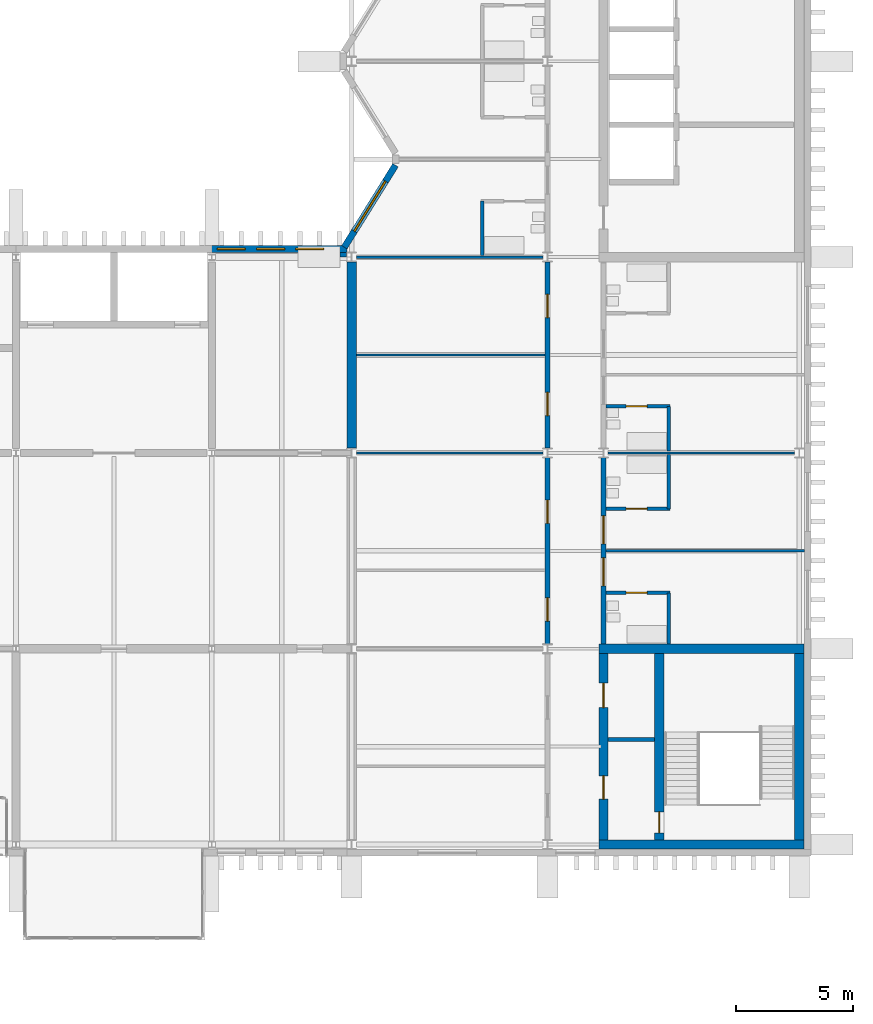
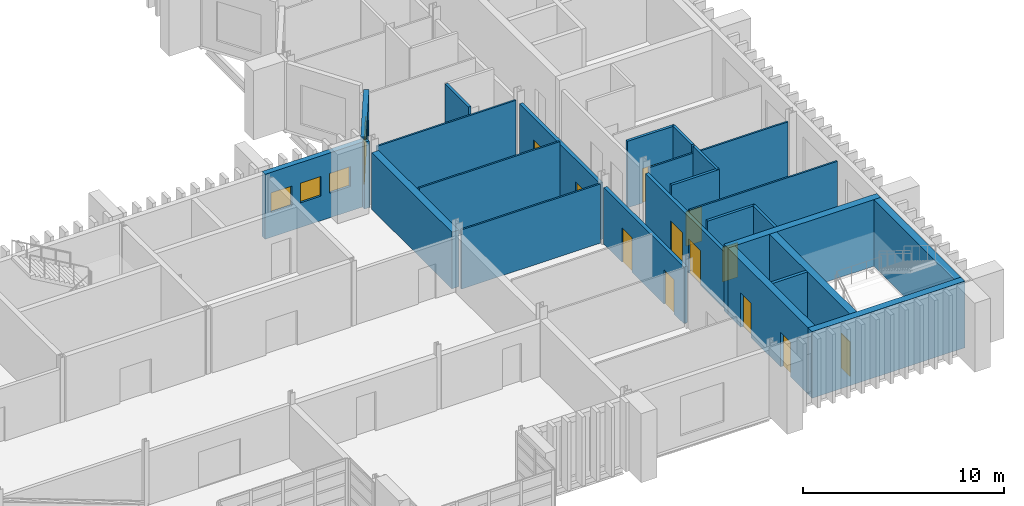
# One storey, part 66 of 88: 25 walls, 12 doors, 4 windows, 16 openings.
"""IFC4 building model written with IfcOpenShell, lengths in metres."""

from ifc_helpers import new_model, si_unit, direction, frame, frame_2d, origin, place, context, subcontext, project, spatial, rectangle, extrude, material, layer, layer_set, type_object, element, fill, save


model = new_model("IFC4")

# Units and contexts
model_context = context("Model", 3, precision=1e-05, world=origin(), true_north=direction((0.0, 1.0)))
body_context = subcontext(model_context, "Body", "Model", "MODEL_VIEW")
ifc_project = project(units=[si_unit("LENGTHUNIT", "METRE"), si_unit("AREAUNIT", "SQUARE_METRE"), si_unit("VOLUMEUNIT", "CUBIC_METRE"), si_unit("PLANEANGLEUNIT", "RADIAN"), si_unit("MASSUNIT", "GRAM", prefix="KILO")], contexts=[model_context])

# Site, building, storey
site_placement = place(None, origin())
site = spatial("IfcSite", under=ifc_project, at=site_placement, CompositionType="ELEMENT")
building_placement = place(site_placement, origin())
building = spatial("IfcBuilding", under=site, at=building_placement, Name="Cresset Court Congress Hotel", CompositionType="ELEMENT")
storey_placement = place(building_placement, frame((0.0, 0.0, 14.39990234375)))
storey = spatial("IfcBuildingStorey", under=building, at=storey_placement, Name="L03", CompositionType="ELEMENT", Elevation=14.39990234375)

# Wall, openings, doors
ifc_material_1 = material(Name="Gypsum board partition")
ifc_layer_1 = layer(ifc_material_1, 0.199951171875)
ifc_layer_set_1 = layer_set([ifc_layer_1], Name="Corridor wall 200")
wall_type_1 = type_object("IfcWallType", Name="Corridor wall 200", PredefinedType="PARTITIONING", material=ifc_layer_set_1)
wall_1_placement = place(storey_placement, frame((165.60009765625, 8.60693359375, 0.0), z_axis=(0.0, 0.0, 1.0), x_axis=(0.0, 1.0, 0.0)))
wall_1 = element("IfcWall", 1, at=wall_1_placement, inside=storey, type_object=wall_type_1, Name="A.wl.L03.062", PredefinedType="PARTITIONING", context=body_context, shape_type="SweptSolid", body=[
    extrude(rectangle(XDim=7.986083984375, YDim=0.199951171875, at=frame_2d((3.9931640625, 0.0))), origin(), (0.0, 0.0, 1.0), 3.4501953125),
])
opening_1_placement = place(wall_1_placement, frame((0.972900390625, 0.0, 0.0)))
opening_1 = element("IfcOpeningElement", 2, at=opening_1_placement, cuts=wall_1, Name="Opening DA-03-03", PredefinedType="OPENING", context=body_context, shape_type="SweptSolid", body=[
    extrude(rectangle(XDim=1.0, YDim=2.10009765625, at=frame_2d((0.5, 1.050048828125))), frame((0.0, 0.10986328125, 0.0), z_axis=(0.0, -1.0, 0.0), x_axis=(1.0, 0.0, 0.0)), (0.0, 0.0, 1.0), 0.219970703125),
])
opening_2_placement = place(wall_1_placement, frame((5.173095703125, 0.0, 0.0)))
opening_2 = element("IfcOpeningElement", 3, at=opening_2_placement, cuts=wall_1, Name="Opening DA-03-04", PredefinedType="OPENING", context=body_context, shape_type="SweptSolid", body=[
    extrude(rectangle(XDim=1.0, YDim=2.10009765625, at=frame_2d((0.5, 1.050048828125))), frame((0.0, 0.10986328125, 0.0), z_axis=(0.0, -1.0, 0.0), x_axis=(1.0, 0.0, 0.0)), (0.0, 0.0, 1.0), 0.219970703125),
])
ifc_material_2 = material(Name="timber", Category="wood")
door_type_1 = type_object("IfcDoorType", Name="Meeting-room door 1000x2100 FD90", OperationType="SINGLE_SWING_LEFT", PredefinedType="DOOR", material=ifc_material_2)
door_1_placement = place(opening_1_placement, origin())
door_1 = element("IfcDoor", 4, at=door_1_placement, inside=storey, type_object=door_type_1, Name="Door DA-03-03", OperationType="SINGLE_SWING_LEFT", OverallHeight=2.10009765625, OverallWidth=1.0, PredefinedType="DOOR", context=body_context, shape_type="SweptSolid", body=[
    extrude(rectangle(XDim=1.0, YDim=2.10009765625, at=frame_2d((0.5, 1.050048828125))), frame((0.0, 0.02490234375, 0.0), z_axis=(0.0, -1.0, 0.0), x_axis=(1.0, 0.0, 0.0)), (0.0, 0.0, 1.0), 0.050048828125),
])
fill(opening_1, door_1)
door_2_placement = place(opening_2_placement, origin())
door_2 = element("IfcDoor", 5, at=door_2_placement, inside=storey, type_object=door_type_1, Name="Door DA-03-04", OperationType="SINGLE_SWING_RIGHT", OverallHeight=2.10009765625, OverallWidth=1.0, PredefinedType="DOOR", context=body_context, shape_type="SweptSolid", body=[
    extrude(rectangle(XDim=1.0, YDim=2.10009765625, at=frame_2d((0.5, 1.050048828125))), frame((0.0, 0.02490234375, 0.0), z_axis=(0.0, -1.0, 0.0), x_axis=(1.0, 0.0, 0.0)), (0.0, 0.0, 1.0), 0.050048828125),
])
fill(opening_2, door_2)

wall_2_placement = place(storey_placement, frame((165.60009765625, 17.007080078125, 0.0), z_axis=(0.0, 0.0, 1.0), x_axis=(0.0, 1.0, 0.0)))
wall_2 = element("IfcWall", 6, at=wall_2_placement, inside=storey, type_object=wall_type_1, Name="A.wl.L03.063", PredefinedType="PARTITIONING", context=body_context, shape_type="SweptSolid", body=[
    extrude(rectangle(XDim=7.98583984375, YDim=0.199951171875, at=frame_2d((3.992919921875, 0.0))), origin(), (0.0, 0.0, 1.0), 3.4501953125),
])
opening_3_placement = place(wall_2_placement, frame((1.39306640625, 0.0, 0.0)))
opening_3 = element("IfcOpeningElement", 7, at=opening_3_placement, cuts=wall_2, Name="Opening DA-03-05", PredefinedType="OPENING", context=body_context, shape_type="SweptSolid", body=[
    extrude(rectangle(XDim=1.0, YDim=2.10009765625, at=frame_2d((0.5, 1.050048828125))), frame((0.0, 0.10986328125, 0.0), z_axis=(0.0, -1.0, 0.0), x_axis=(1.0, 0.0, 0.0)), (0.0, 0.0, 1.0), 0.219970703125),
])
opening_4_placement = place(wall_2_placement, frame((5.593017578125, 0.0, 0.0)))
opening_4 = element("IfcOpeningElement", 8, at=opening_4_placement, cuts=wall_2, Name="Opening DA-03-06", PredefinedType="OPENING", context=body_context, shape_type="SweptSolid", body=[
    extrude(rectangle(XDim=1.0, YDim=2.10009765625, at=frame_2d((0.5, 1.050048828125))), frame((0.0, 0.10986328125, 0.0), z_axis=(0.0, -1.0, 0.0), x_axis=(1.0, 0.0, 0.0)), (0.0, 0.0, 1.0), 0.219970703125),
])
door_3_placement = place(opening_3_placement, origin())
door_3 = element("IfcDoor", 9, at=door_3_placement, inside=storey, type_object=door_type_1, Name="Door DA-03-05", OperationType="SINGLE_SWING_LEFT", OverallHeight=2.10009765625, OverallWidth=1.0, PredefinedType="DOOR", context=body_context, shape_type="SweptSolid", body=[
    extrude(rectangle(XDim=1.0, YDim=2.10009765625, at=frame_2d((0.5, 1.050048828125))), frame((0.0, 0.02490234375, 0.0), z_axis=(0.0, -1.0, 0.0), x_axis=(1.0, 0.0, 0.0)), (0.0, 0.0, 1.0), 0.050048828125),
])
fill(opening_3, door_3)
door_4_placement = place(opening_4_placement, origin())
door_4 = element("IfcDoor", 10, at=door_4_placement, inside=storey, type_object=door_type_1, Name="Door DA-03-06", OperationType="SINGLE_SWING_RIGHT", OverallHeight=2.10009765625, OverallWidth=1.0, PredefinedType="DOOR", context=body_context, shape_type="SweptSolid", body=[
    extrude(rectangle(XDim=1.0, YDim=2.10009765625, at=frame_2d((0.5, 1.050048828125))), frame((0.0, 0.02490234375, 0.0), z_axis=(0.0, -1.0, 0.0), x_axis=(1.0, 0.0, 0.0)), (0.0, 0.0, 1.0), 0.050048828125),
])
fill(opening_4, door_4)

wall_3_placement = place(storey_placement, frame((168.0, 8.60009765625, 0.0), z_axis=(0.0, 0.0, 1.0), x_axis=(0.0, 1.0, 0.0)))
wall_3 = element("IfcWall", 11, at=wall_3_placement, inside=storey, type_object=wall_type_1, Name="A.wl.L03.069", PredefinedType="PARTITIONING", context=body_context, shape_type="SweptSolid", body=[
    extrude(rectangle(XDim=7.992919921875, YDim=0.199951171875, at=frame_2d((3.99658203125, 0.0))), origin(), (0.0, 0.0, 1.0), 3.4501953125),
])
opening_5_placement = place(wall_3_placement, frame((2.5, 0.0, 0.0)))
opening_5 = element("IfcOpeningElement", 12, at=opening_5_placement, cuts=wall_3, Name="Opening DA-03-28", PredefinedType="OPENING", context=body_context, shape_type="SweptSolid", body=[
    extrude(rectangle(XDim=1.199951171875, YDim=2.10009765625, at=frame_2d((0.60009765625, 1.050048828125))), frame((0.0, 0.10986328125, 0.0), z_axis=(0.0, -1.0, 0.0), x_axis=(1.0, 0.0, 0.0)), (0.0, 0.0, 1.0), 0.219970703125),
])
opening_6_placement = place(wall_3_placement, frame((4.300048828125, 0.0, 0.0)))
opening_6 = element("IfcOpeningElement", 13, at=opening_6_placement, cuts=wall_3, Name="Opening DA-03-30", PredefinedType="OPENING", context=body_context, shape_type="SweptSolid", body=[
    extrude(rectangle(XDim=1.199951171875, YDim=2.10009765625, at=frame_2d((0.60009765625, 1.050048828125))), frame((0.0, 0.10986328125, 0.0), z_axis=(0.0, -1.0, 0.0), x_axis=(1.0, 0.0, 0.0)), (0.0, 0.0, 1.0), 0.219970703125),
])
ifc_material_3 = material(Name="timber", Category="wood")
door_type_2 = type_object("IfcDoorType", Name="Guest-room entry door 1200x2100 FD30S", OperationType="SINGLE_SWING_LEFT", PredefinedType="DOOR", material=ifc_material_3)
door_5_placement = place(opening_5_placement, origin())
door_5 = element("IfcDoor", 14, at=door_5_placement, inside=storey, type_object=door_type_2, Name="Door DA-03-28", OperationType="SINGLE_SWING_RIGHT", OverallHeight=2.10009765625, OverallWidth=1.199951171875, PredefinedType="DOOR", context=body_context, shape_type="SweptSolid", body=[
    extrude(rectangle(XDim=1.199951171875, YDim=2.10009765625, at=frame_2d((0.60009765625, 1.050048828125))), frame((0.0, 0.02490234375, 0.0), z_axis=(0.0, -1.0, 0.0), x_axis=(1.0, 0.0, 0.0)), (0.0, 0.0, 1.0), 0.050048828125),
])
fill(opening_5, door_5)
door_6_placement = place(opening_6_placement, origin())
door_6 = element("IfcDoor", 15, at=door_6_placement, inside=storey, type_object=door_type_2, Name="Door DA-03-30", OperationType="SINGLE_SWING_LEFT", OverallHeight=2.10009765625, OverallWidth=1.199951171875, PredefinedType="DOOR", context=body_context, shape_type="SweptSolid", body=[
    extrude(rectangle(XDim=1.199951171875, YDim=2.10009765625, at=frame_2d((0.60009765625, 1.050048828125))), frame((0.0, 0.02490234375, 0.0), z_axis=(0.0, -1.0, 0.0), x_axis=(1.0, 0.0, 0.0)), (0.0, 0.0, 1.0), 0.050048828125),
])
fill(opening_6, door_6)

# Walls
ifc_material_4 = material(Name="Gypsum board partition")
ifc_layer_2 = layer(ifc_material_4, 0.14990234375)
ifc_layer_set_2 = layer_set([ifc_layer_2], Name="En-suite wall 150")
wall_type_2 = type_object("IfcWallType", Name="En-suite wall 150", PredefinedType="PARTITIONING", material=ifc_layer_set_2)
wall_4_placement = place(storey_placement, frame((162.800048828125, 25.27490234375, 0.0), z_axis=(0.0, 0.0, 1.0), x_axis=(0.0, 1.0, 0.0)))
element("IfcWall", 16, at=wall_4_placement, inside=storey, type_object=wall_type_2, Name="A.wl.L03.001", PredefinedType="PARTITIONING", context=body_context, shape_type="SweptSolid", body=[
    extrude(rectangle(XDim=2.3251953125, YDim=0.14990234375, at=frame_2d((1.16259765625, 0.0))), origin(), (0.0, 0.0, 1.0), 4.050048828125),
])
wall_5_placement = place(storey_placement, frame((170.800048828125, 8.60009765625, 0.0), z_axis=(0.0, 0.0, 1.0), x_axis=(0.0, 1.0, 0.0)))
element("IfcWall", 17, at=wall_5_placement, inside=storey, type_object=wall_type_2, Name="A.wl.L03.021", PredefinedType="PARTITIONING", context=body_context, shape_type="SweptSolid", body=[
    extrude(rectangle(XDim=2.199951171875, YDim=0.14990234375, at=frame_2d((1.10009765625, 0.0))), origin(), (0.0, 0.0, 1.0), 4.050048828125),
])

# Wall, opening, door
wall_6_placement = place(storey_placement, frame((170.85009765625, 10.800048828125, 0.0), z_axis=(0.0, 0.0, 1.0), x_axis=(-1.0, 0.0, 0.0)))
wall_6 = element("IfcWall", 18, at=wall_6_placement, inside=storey, type_object=wall_type_2, Name="A.wl.L03.022", PredefinedType="PARTITIONING", context=body_context, shape_type="SweptSolid", body=[
    extrude(rectangle(XDim=2.75, YDim=0.14990234375, at=frame_2d((1.375, 0.0))), origin(), (0.0, 0.0, 1.0), 4.050048828125),
])
opening_7_placement = place(wall_6_placement, frame((0.97998046875, 0.0, 0.0)))
opening_7 = element("IfcOpeningElement", 19, at=opening_7_placement, cuts=wall_6, Name="Opening DA-03-27", PredefinedType="OPENING", context=body_context, shape_type="SweptSolid", body=[
    extrude(rectangle(XDim=0.89990234375, YDim=2.10009765625, at=frame_2d((0.449951171875, 1.050048828125))), frame((0.0, 0.0849609375, 0.0), z_axis=(0.0, -1.0, 0.0), x_axis=(1.0, 0.0, 0.0)), (0.0, 0.0, 1.0), 0.169921875),
])
ifc_material_5 = material(Name="timber", Category="wood")
door_type_3 = type_object("IfcDoorType", Name="En-suite door 900x2100", OperationType="SINGLE_SWING_LEFT", PredefinedType="DOOR", material=ifc_material_5)
door_7_placement = place(opening_7_placement, origin())
door_7 = element("IfcDoor", 20, at=door_7_placement, inside=storey, type_object=door_type_3, Name="Door DA-03-27", OperationType="SINGLE_SWING_RIGHT", OverallHeight=2.10009765625, OverallWidth=0.89990234375, PredefinedType="DOOR", context=body_context, shape_type="SweptSolid", body=[
    extrude(rectangle(XDim=0.89990234375, YDim=2.10009765625, at=frame_2d((0.449951171875, 1.050048828125))), frame((0.0, 0.02490234375, 0.0), z_axis=(0.0, -1.0, 0.0), x_axis=(1.0, 0.0, 0.0)), (0.0, 0.0, 1.0), 0.050048828125),
])
fill(opening_7, door_7)

# Wall
wall_7_placement = place(storey_placement, frame((170.800048828125, 14.39990234375, 0.0), z_axis=(0.0, 0.0, 1.0), x_axis=(0.0, 1.0, 0.0)))
element("IfcWall", 21, at=wall_7_placement, inside=storey, type_object=wall_type_2, Name="A.wl.L03.023", PredefinedType="PARTITIONING", context=body_context, shape_type="SweptSolid", body=[
    extrude(rectangle(XDim=2.3251953125, YDim=0.14990234375, at=frame_2d((1.16259765625, 0.0))), origin(), (0.0, 0.0, 1.0), 4.050048828125),
])

# Wall, opening, door
wall_8_placement = place(storey_placement, frame((170.85009765625, 14.39990234375, 0.0), z_axis=(0.0, 0.0, 1.0), x_axis=(-1.0, 0.0, 0.0)))
wall_8 = element("IfcWall", 22, at=wall_8_placement, inside=storey, type_object=wall_type_2, Name="A.wl.L03.024", PredefinedType="PARTITIONING", context=body_context, shape_type="SweptSolid", body=[
    extrude(rectangle(XDim=2.75, YDim=0.14990234375, at=frame_2d((1.375, 0.0))), origin(), (0.0, 0.0, 1.0), 4.050048828125),
])
opening_8_placement = place(wall_8_placement, frame((0.97998046875, 0.0, 0.0)))
opening_8 = element("IfcOpeningElement", 23, at=opening_8_placement, cuts=wall_8, Name="Opening DA-03-29", PredefinedType="OPENING", context=body_context, shape_type="SweptSolid", body=[
    extrude(rectangle(XDim=0.89990234375, YDim=2.10009765625, at=frame_2d((0.449951171875, 1.050048828125))), frame((0.0, 0.0849609375, 0.0), z_axis=(0.0, -1.0, 0.0), x_axis=(1.0, 0.0, 0.0)), (0.0, 0.0, 1.0), 0.169921875),
])
door_8_placement = place(opening_8_placement, origin())
door_8 = element("IfcDoor", 24, at=door_8_placement, inside=storey, type_object=door_type_3, Name="Door DA-03-29", OperationType="SINGLE_SWING_LEFT", OverallHeight=2.10009765625, OverallWidth=0.89990234375, PredefinedType="DOOR", context=body_context, shape_type="SweptSolid", body=[
    extrude(rectangle(XDim=0.89990234375, YDim=2.10009765625, at=frame_2d((0.449951171875, 1.050048828125))), frame((0.0, 0.02490234375, 0.0), z_axis=(0.0, -1.0, 0.0), x_axis=(1.0, 0.0, 0.0)), (0.0, 0.0, 1.0), 0.050048828125),
])
fill(opening_8, door_8)

# Wall
wall_9_placement = place(storey_placement, frame((170.800048828125, 16.875, 0.0), z_axis=(0.0, 0.0, 1.0), x_axis=(0.0, 1.0, 0.0)))
element("IfcWall", 25, at=wall_9_placement, inside=storey, type_object=wall_type_2, Name="A.wl.L03.025", PredefinedType="PARTITIONING", context=body_context, shape_type="SweptSolid", body=[
    extrude(rectangle(XDim=1.925048828125, YDim=0.14990234375, at=frame_2d((0.96240234375, 0.0))), origin(), (0.0, 0.0, 1.0), 4.050048828125),
])

# Wall, opening, door
wall_10_placement = place(storey_placement, frame((170.85009765625, 18.800048828125, 0.0), z_axis=(0.0, 0.0, 1.0), x_axis=(-1.0, 0.0, 0.0)))
wall_10 = element("IfcWall", 26, at=wall_10_placement, inside=storey, type_object=wall_type_2, Name="A.wl.L03.026", PredefinedType="PARTITIONING", context=body_context, shape_type="SweptSolid", body=[
    extrude(rectangle(XDim=2.75, YDim=0.14990234375, at=frame_2d((1.375, 0.0))), origin(), (0.0, 0.0, 1.0), 4.050048828125),
])
opening_9_placement = place(wall_10_placement, frame((0.97998046875, 0.0, 0.0)))
opening_9 = element("IfcOpeningElement", 27, at=opening_9_placement, cuts=wall_10, Name="Opening DA-03-31", PredefinedType="OPENING", context=body_context, shape_type="SweptSolid", body=[
    extrude(rectangle(XDim=0.89990234375, YDim=2.10009765625, at=frame_2d((0.449951171875, 1.050048828125))), frame((0.0, 0.0849609375, 0.0), z_axis=(0.0, -1.0, 0.0), x_axis=(1.0, 0.0, 0.0)), (0.0, 0.0, 1.0), 0.169921875),
])
door_9_placement = place(opening_9_placement, origin())
door_9 = element("IfcDoor", 28, at=door_9_placement, inside=storey, type_object=door_type_3, Name="Door DA-03-31", OperationType="SINGLE_SWING_RIGHT", OverallHeight=2.10009765625, OverallWidth=0.89990234375, PredefinedType="DOOR", context=body_context, shape_type="SweptSolid", body=[
    extrude(rectangle(XDim=0.89990234375, YDim=2.10009765625, at=frame_2d((0.449951171875, 1.050048828125))), frame((0.0, 0.02490234375, 0.0), z_axis=(0.0, -1.0, 0.0), x_axis=(1.0, 0.0, 0.0)), (0.0, 0.0, 1.0), 0.050048828125),
])
fill(opening_9, door_9)

# Wall
ifc_material_6 = material(Name="Precast concrete C50", Category="concrete")
ifc_layer_3 = layer(ifc_material_6, 0.280029296875)
ifc_layer_set_3 = layer_set([ifc_layer_3], Name="External wall 280")
wall_type_3 = type_object("IfcWallType", Name="External wall 280", PredefinedType="SOLIDWALL", material=ifc_layer_set_3)
wall_11_placement = place(storey_placement, frame((156.840087890625, 25.199951171875, 0.0), z_axis=(0.0, 0.0, 1.0), x_axis=(0.0, 1.0, 0.0)))
element("IfcWall", 29, at=wall_11_placement, inside=storey, type_object=wall_type_3, Name="A.ew.L03.W.1", PredefinedType="SOLIDWALL", context=body_context, shape_type="SweptSolid", body=[
    extrude(rectangle(XDim=0.199951171875, YDim=0.280029296875, at=frame_2d((0.10009765625, 0.0))), origin(), (0.0, 0.0, 1.0), 4.050048828125),
])

# Wall, opening, window
wall_12_placement = place(storey_placement, frame((156.88623046875, 25.6240234375, 0.0), z_axis=(0.0, 0.0, 1.0), x_axis=(0.528992500338, 0.848626498871, 0.0)))
wall_12 = element("IfcWall", 30, at=wall_12_placement, inside=storey, type_object=wall_type_3, Name="A.ew.L03.Wn.3.0", PredefinedType="SOLIDWALL", context=body_context, shape_type="SweptSolid", body=[
    extrude(rectangle(XDim=4.14453125, YDim=0.280029296875, at=frame_2d((2.072265625, 0.0))), origin(), (0.0, 0.0, 1.0), 4.050048828125),
])
opening_10_placement = place(wall_12_placement, frame((0.812255859375, 0.0, 0.60009765625)))
opening_10 = element("IfcOpeningElement", 31, at=opening_10_placement, cuts=wall_12, Name="Opening NA-03-01", PredefinedType="OPENING", context=body_context, shape_type="SweptSolid", body=[
    extrude(rectangle(XDim=2.52001953125, YDim=2.39990234375, at=frame_2d((1.260009765625, 1.199951171875))), frame((0.0, 0.14990234375, 0.0), z_axis=(0.0, -1.0, 0.0), x_axis=(1.0, 0.0, 0.0)), (0.0, 0.0, 1.0), 0.300048828125),
])
ifc_material_7 = material(Name="Aluminium and glass", Category="aluminium")
window_type_1 = type_object("IfcWindowType", Name="Window 2520x2400", PartitioningType="SINGLE_PANEL", PredefinedType="WINDOW", material=ifc_material_7)
window_1_placement = place(opening_10_placement, origin())
window_1 = element("IfcWindow", 32, at=window_1_placement, inside=storey, type_object=window_type_1, Name="Window NA-03-01", OverallHeight=2.39990234375, OverallWidth=2.52001953125, PartitioningType="SINGLE_PANEL", PredefinedType="WINDOW", context=body_context, shape_type="SweptSolid", body=[
    extrude(rectangle(XDim=2.52001953125, YDim=2.39990234375, at=frame_2d((1.260009765625, 1.199951171875))), frame((0.0, 0.030029296875, 0.0), z_axis=(0.0, -1.0, 0.0), x_axis=(1.0, 0.0, 0.0)), (0.0, 0.0, 1.0), 0.06005859375),
])
fill(opening_10, window_1)

# Wall, openings, windows
ifc_material_8 = material(Name="Concrete C40", Category="concrete")
ifc_layer_4 = layer(ifc_material_8, 0.300048828125)
ifc_layer_set_4 = layer_set([ifc_layer_4], Name="External wall 300 Concrete C40")
wall_type_4 = type_object("IfcWallType", Name="External wall 300 Concrete C40", PredefinedType="SOLIDWALL", material=ifc_layer_set_4)
wall_13_placement = place(storey_placement, frame((151.10009765625, 25.550048828125, 0.0), z_axis=(0.0, 0.0, 1.0), x_axis=(1.0, 0.0, 0.0)))
wall_13 = element("IfcWall", 33, at=wall_13_placement, inside=storey, type_object=wall_type_4, Name="External wall", PredefinedType="SOLIDWALL", context=body_context, shape_type="SweptSolid", body=[
    extrude(rectangle(XDim=5.89990234375, YDim=0.300048828125, at=frame_2d((2.949951171875, 0.0))), origin(), (0.0, 0.0, 1.0), 3.9501953125),
])
opening_11_placement = place(wall_13_placement, frame((0.340087890625, 0.0, 1.5)))
opening_11 = element("IfcOpeningElement", 34, at=opening_11_placement, cuts=wall_13, Name="Opening NB-03-65", PredefinedType="OPENING", context=body_context, shape_type="SweptSolid", body=[
    extrude(rectangle(XDim=1.199951171875, YDim=1.199951171875, at=frame_2d((0.60009765625, 0.60009765625))), frame((0.0, 0.159912109375, 0.0), z_axis=(0.0, -1.0, 0.0), x_axis=(1.0, 0.0, 0.0)), (0.0, 0.0, 1.0), 0.320068359375),
])
opening_12_placement = place(wall_13_placement, frame((2.02001953125, 0.0, 1.5)))
opening_12 = element("IfcOpeningElement", 35, at=opening_12_placement, cuts=wall_13, Name="Opening NB-03-66", PredefinedType="OPENING", context=body_context, shape_type="SweptSolid", body=[
    extrude(rectangle(XDim=1.199951171875, YDim=1.199951171875, at=frame_2d((0.60009765625, 0.60009765625))), frame((0.0, 0.159912109375, 0.0), z_axis=(0.0, -1.0, 0.0), x_axis=(1.0, 0.0, 0.0)), (0.0, 0.0, 1.0), 0.320068359375),
])
opening_13_placement = place(wall_13_placement, frame((3.699951171875, 0.0, 1.5)))
opening_13 = element("IfcOpeningElement", 36, at=opening_13_placement, cuts=wall_13, Name="Opening NB-03-67", PredefinedType="OPENING", context=body_context, shape_type="SweptSolid", body=[
    extrude(rectangle(XDim=1.199951171875, YDim=1.199951171875, at=frame_2d((0.60009765625, 0.60009765625))), frame((0.0, 0.159912109375, 0.0), z_axis=(0.0, -1.0, 0.0), x_axis=(1.0, 0.0, 0.0)), (0.0, 0.0, 1.0), 0.320068359375),
])
ifc_material_9 = material(Name="Aluminium frame with double glazing", Category="aluminium")
window_type_2 = type_object("IfcWindowType", Name="Window 1200x1200", PartitioningType="SINGLE_PANEL", PredefinedType="WINDOW", material=ifc_material_9)
window_2_placement = place(opening_11_placement, origin())
window_2 = element("IfcWindow", 37, at=window_2_placement, inside=storey, type_object=window_type_2, Name="Window NB-03-65", OverallHeight=1.199951171875, OverallWidth=1.199951171875, PartitioningType="SINGLE_PANEL", PredefinedType="WINDOW", context=body_context, shape_type="SweptSolid", body=[
    extrude(rectangle(XDim=1.199951171875, YDim=1.199951171875, at=frame_2d((0.60009765625, 0.60009765625))), frame((0.0, 0.030029296875, 0.0), z_axis=(0.0, -1.0, 0.0), x_axis=(1.0, 0.0, 0.0)), (0.0, 0.0, 1.0), 0.06005859375),
])
fill(opening_11, window_2)
window_3_placement = place(opening_12_placement, origin())
window_3 = element("IfcWindow", 38, at=window_3_placement, inside=storey, type_object=window_type_2, Name="Window NB-03-66", OverallHeight=1.199951171875, OverallWidth=1.199951171875, PartitioningType="SINGLE_PANEL", PredefinedType="WINDOW", context=body_context, shape_type="SweptSolid", body=[
    extrude(rectangle(XDim=1.199951171875, YDim=1.199951171875, at=frame_2d((0.60009765625, 0.60009765625))), frame((0.0, 0.030029296875, 0.0), z_axis=(0.0, -1.0, 0.0), x_axis=(1.0, 0.0, 0.0)), (0.0, 0.0, 1.0), 0.06005859375),
])
fill(opening_12, window_3)
window_4_placement = place(opening_13_placement, origin())
window_4 = element("IfcWindow", 39, at=window_4_placement, inside=storey, type_object=window_type_2, Name="Window NB-03-67", OverallHeight=1.199951171875, OverallWidth=1.199951171875, PartitioningType="SINGLE_PANEL", PredefinedType="WINDOW", context=body_context, shape_type="SweptSolid", body=[
    extrude(rectangle(XDim=1.199951171875, YDim=1.199951171875, at=frame_2d((0.60009765625, 0.60009765625))), frame((0.0, 0.030029296875, 0.0), z_axis=(0.0, -1.0, 0.0), x_axis=(1.0, 0.0, 0.0)), (0.0, 0.0, 1.0), 0.06005859375),
])
fill(opening_13, window_4)

# Walls
ifc_material_10 = material(Name="Gypsum board partition")
ifc_layer_5 = layer(ifc_material_10, 0.10009765625)
ifc_layer_set_5 = layer_set([ifc_layer_5], Name="Guest-room partition 100")
wall_type_5 = type_object("IfcWallType", Name="Guest-room partition 100", PredefinedType="PARTITIONING", material=ifc_layer_set_5)
for number, where, z_axis, x_axis, name in (
    (40, (157.402587890625, 16.800048828125, 0.0), (0.0, 0.0, 1.0), (1.0, 0.0, 0.0), "A.wl.L03.038"),
    (41, (157.402587890625, 25.199951171875, 0.0), (0.0, 0.0, 1.0), (1.0, 0.0, 0.0), "A.wl.L03.039"),
):
    element("IfcWall", number, at=place(storey_placement, frame(where, z_axis=z_axis, x_axis=x_axis)), inside=storey, type_object=wall_type_5, Name=name, PredefinedType="PARTITIONING", context=body_context, shape_type="SweptSolid", body=[
        extrude(rectangle(XDim=7.994873046875, YDim=0.10009765625, at=frame_2d((3.99755859375, 0.0))), origin(), (0.0, 0.0, 1.0), 3.60400390625),
    ])
wall_14_placement = place(storey_placement, frame((168.202392578125, 16.800048828125, 0.0), z_axis=(0.0, 0.0, 1.0), x_axis=(1.0, 0.0, 0.0)))
element("IfcWall", 42, at=wall_14_placement, inside=storey, type_object=wall_type_5, Name="A.wl.L03.044", PredefinedType="PARTITIONING", context=body_context, shape_type="SweptSolid", body=[
    extrude(rectangle(XDim=7.9951171875, YDim=0.10009765625, at=frame_2d((3.99755859375, 0.0))), origin(), (0.0, 0.0, 1.0), 3.60400390625),
])
wall_15_placement = place(storey_placement, frame((157.39990234375, 21.0, 0.0), z_axis=(0.0, 0.0, 1.0), x_axis=(1.0, 0.0, 0.0)))
element("IfcWall", 43, at=wall_15_placement, inside=storey, type_object=wall_type_5, Name="A.wl.L03.048", PredefinedType="PARTITIONING", context=body_context, shape_type="SweptSolid", body=[
    extrude(rectangle(XDim=8.10009765625, YDim=0.10009765625, at=frame_2d((4.050048828125, 0.0))), origin(), (0.0, 0.0, 1.0), 3.60400390625),
])
wall_16_placement = place(storey_placement, frame((168.10009765625, 12.60009765625, 0.0), z_axis=(0.0, 0.0, 1.0), x_axis=(1.0, 0.0, 0.0)))
element("IfcWall", 44, at=wall_16_placement, inside=storey, type_object=wall_type_5, Name="A.wl.L03.054", PredefinedType="PARTITIONING", context=body_context, shape_type="SweptSolid", body=[
    extrude(rectangle(XDim=8.52001953125, YDim=0.10009765625, at=frame_2d((4.260009765625, 0.0))), origin(), (0.0, 0.0, 1.0), 3.60400390625),
])
ifc_material_11 = material(Name="Concrete C40", Category="concrete")
ifc_layer_6 = layer(ifc_material_11, 0.39990234375)
ifc_layer_set_6 = layer_set([ifc_layer_6], Name="Party wall with Block B 400")
wall_type_6 = type_object("IfcWallType", Name="Party wall with Block B 400", PredefinedType="SOLIDWALL", material=ifc_layer_set_6)
wall_17_placement = place(storey_placement, frame((157.199951171875, 17.007080078125, 0.0), z_axis=(0.0, 0.0, 1.0), x_axis=(0.0, 1.0, 0.0)))
element("IfcWall", 45, at=wall_17_placement, inside=storey, type_object=wall_type_6, Name="A.wl.L03.060", PredefinedType="SOLIDWALL", context=body_context, shape_type="SweptSolid", body=[
    extrude(rectangle(XDim=7.98583984375, YDim=0.39990234375, at=frame_2d((3.992919921875, 0.0))), origin(), (0.0, 0.0, 1.0), 3.4501953125),
])
ifc_material_12 = material(Name="Concrete block wall", Category="concrete")
ifc_layer_7 = layer(ifc_material_12, 0.175048828125)
ifc_layer_set_7 = layer_set([ifc_layer_7], Name="Riser shaft wall 175")
wall_type_7 = type_object("IfcWallType", Name="Riser shaft wall 175", PredefinedType="PARTITIONING", material=ifc_layer_set_7)
wall_18_placement = place(storey_placement, frame((168.199951171875, 4.5, 0.0), z_axis=(0.0, 0.0, 1.0), x_axis=(1.0, 0.0, 0.0)))
element("IfcWall", 46, at=wall_18_placement, inside=storey, type_object=wall_type_7, Name="A.wl.L03.074", PredefinedType="PARTITIONING", context=body_context, shape_type="SweptSolid", body=[
    extrude(rectangle(XDim=2.0, YDim=0.175048828125, at=frame_2d((1.0, 0.0))), origin(), (0.0, 0.0, 1.0), 4.050048828125),
])
ifc_material_13 = material(Name="Concrete C50", Category="concrete")
ifc_layer_8 = layer(ifc_material_13, 0.39990234375)
ifc_layer_set_8 = layer_set([ifc_layer_8], Name="Stair core wall 400")
wall_type_8 = type_object("IfcWallType", Name="Stair core wall 400", PredefinedType="SOLIDWALL", material=ifc_layer_set_8)
for number, where, z_axis, x_axis, name in (
    (47, (167.800048828125, 0.0, 0.0), (0.0, 0.0, 1.0), (1.0, 0.0, 0.0), "A.cw.ST-A1.L03.S"),
    (48, (167.800048828125, 8.39990234375, 0.0), (0.0, 0.0, 1.0), (1.0, 0.0, 0.0), "A.cw.ST-A1.L03.N"),
):
    element("IfcWall", number, at=place(storey_placement, frame(where, z_axis=z_axis, x_axis=x_axis)), inside=storey, type_object=wall_type_8, Name=name, PredefinedType="SOLIDWALL", context=body_context, shape_type="SweptSolid", body=[
        extrude(rectangle(XDim=8.800048828125, YDim=0.39990234375, at=frame_2d((4.39990234375, 0.0))), origin(), (0.0, 0.0, 1.0), 4.050048828125),
    ])

# Wall, openings, doors
wall_19_placement = place(storey_placement, frame((168.0, 0.199951171875, 0.0), z_axis=(0.0, 0.0, 1.0), x_axis=(0.0, 1.0, 0.0)))
wall_19 = element("IfcWall", 49, at=wall_19_placement, inside=storey, type_object=wall_type_8, Name="A.cw.ST-A1.L03.W", PredefinedType="SOLIDWALL", context=body_context, shape_type="SweptSolid", body=[
    extrude(rectangle(XDim=8.0, YDim=0.39990234375, at=frame_2d((4.0, 0.0))), origin(), (0.0, 0.0, 1.0), 4.050048828125),
])
opening_14_placement = place(wall_19_placement, frame((1.75, 0.0, 0.0)))
opening_14 = element("IfcOpeningElement", 50, at=opening_14_placement, cuts=wall_19, Name="Opening DA-03-44", PredefinedType="OPENING", context=body_context, shape_type="SweptSolid", body=[
    extrude(rectangle(XDim=1.0, YDim=2.10009765625, at=frame_2d((0.5, 1.050048828125))), frame((0.0, 0.2099609375, 0.0), z_axis=(0.0, -1.0, 0.0), x_axis=(1.0, 0.0, 0.0)), (0.0, 0.0, 1.0), 0.419921875),
])
opening_15_placement = place(wall_19_placement, frame((5.675048828125, 0.0, 0.0)))
opening_15 = element("IfcOpeningElement", 51, at=opening_15_placement, cuts=wall_19, Name="Opening DA-03-45", PredefinedType="OPENING", context=body_context, shape_type="SweptSolid", body=[
    extrude(rectangle(XDim=1.050048828125, YDim=2.10009765625, at=frame_2d((0.52490234375, 1.050048828125))), frame((0.0, 0.2099609375, 0.0), z_axis=(0.0, -1.0, 0.0), x_axis=(1.0, 0.0, 0.0)), (0.0, 0.0, 1.0), 0.419921875),
])
ifc_material_14 = material(Name="steel", Category="steel")
door_type_4 = type_object("IfcDoorType", Name="Housekeeping room door 1050x2100 FD30", OperationType="SINGLE_SWING_LEFT", PredefinedType="DOOR", material=ifc_material_14)
door_10_placement = place(opening_15_placement, origin())
door_10 = element("IfcDoor", 52, at=door_10_placement, inside=storey, type_object=door_type_4, Name="Door DA-03-45", OperationType="SINGLE_SWING_LEFT", OverallHeight=2.10009765625, OverallWidth=1.050048828125, PredefinedType="DOOR", context=body_context, shape_type="SweptSolid", body=[
    extrude(rectangle(XDim=1.050048828125, YDim=2.10009765625, at=frame_2d((0.52490234375, 1.050048828125))), frame((0.0, 0.02490234375, 0.0), z_axis=(0.0, -1.0, 0.0), x_axis=(1.0, 0.0, 0.0)), (0.0, 0.0, 1.0), 0.050048828125),
])
fill(opening_15, door_10)
ifc_material_15 = material(Name="steel", Category="steel")
door_type_5 = type_object("IfcDoorType", Name="Lobby door 1000x2100 FD60", OperationType="SINGLE_SWING_LEFT", PredefinedType="DOOR", material=ifc_material_15)
door_11_placement = place(opening_14_placement, origin())
door_11 = element("IfcDoor", 53, at=door_11_placement, inside=storey, type_object=door_type_5, Name="Door DA-03-44", OperationType="SINGLE_SWING_RIGHT", OverallHeight=2.10009765625, OverallWidth=1.0, PredefinedType="DOOR", context=body_context, shape_type="SweptSolid", body=[
    extrude(rectangle(XDim=1.0, YDim=2.10009765625, at=frame_2d((0.5, 1.050048828125))), frame((0.0, 0.02490234375, 0.0), z_axis=(0.0, -1.0, 0.0), x_axis=(1.0, 0.0, 0.0)), (0.0, 0.0, 1.0), 0.050048828125),
])
fill(opening_14, door_11)

# Wall
wall_20_placement = place(storey_placement, frame((176.39990234375, 0.199951171875, 0.0), z_axis=(0.0, 0.0, 1.0), x_axis=(0.0, 1.0, 0.0)))
element("IfcWall", 54, at=wall_20_placement, inside=storey, type_object=wall_type_8, Name="A.cw.ST-A1.L03.E", PredefinedType="SOLIDWALL", context=body_context, shape_type="SweptSolid", body=[
    extrude(rectangle(XDim=8.0, YDim=0.39990234375, at=frame_2d((4.0, 0.0))), origin(), (0.0, 0.0, 1.0), 4.050048828125),
])

# Wall, opening, door
wall_21_placement = place(storey_placement, frame((170.39990234375, 0.199951171875, 0.0), z_axis=(0.0, 0.0, 1.0), x_axis=(0.0, 1.0, 0.0)))
wall_21 = element("IfcWall", 55, at=wall_21_placement, inside=storey, type_object=wall_type_8, Name="A.wl.L03.073", PredefinedType="SOLIDWALL", context=body_context, shape_type="SweptSolid", body=[
    extrude(rectangle(XDim=8.0, YDim=0.39990234375, at=frame_2d((4.0, 0.0))), origin(), (0.0, 0.0, 1.0), 4.050048828125),
])
opening_16_placement = place(wall_21_placement, frame((0.300048828125, 0.0, 0.0)))
opening_16 = element("IfcOpeningElement", 56, at=opening_16_placement, cuts=wall_21, Name="Opening DA-03-43", PredefinedType="OPENING", context=body_context, shape_type="SweptSolid", body=[
    extrude(rectangle(XDim=0.89990234375, YDim=2.10009765625, at=frame_2d((0.449951171875, 1.050048828125))), frame((0.0, 0.2099609375, 0.0), z_axis=(0.0, -1.0, 0.0), x_axis=(1.0, 0.0, 0.0)), (0.0, 0.0, 1.0), 0.419921875),
])
ifc_material_16 = material(Name="steel", Category="steel")
door_type_6 = type_object("IfcDoorType", Name="Stair door 900x2100 FD60", OperationType="SINGLE_SWING_LEFT", PredefinedType="DOOR", material=ifc_material_16)
door_12_placement = place(opening_16_placement, origin())
door_12 = element("IfcDoor", 57, at=door_12_placement, inside=storey, type_object=door_type_6, Name="Door DA-03-43", OperationType="SINGLE_SWING_LEFT", OverallHeight=2.10009765625, OverallWidth=0.89990234375, PredefinedType="DOOR", context=body_context, shape_type="SweptSolid", body=[
    extrude(rectangle(XDim=0.89990234375, YDim=2.10009765625, at=frame_2d((0.449951171875, 1.050048828125))), frame((0.0, 0.02490234375, 0.0), z_axis=(0.0, -1.0, 0.0), x_axis=(1.0, 0.0, 0.0)), (0.0, 0.0, 1.0), 0.050048828125),
])
fill(opening_16, door_12)

save(model, "model.ifc")
